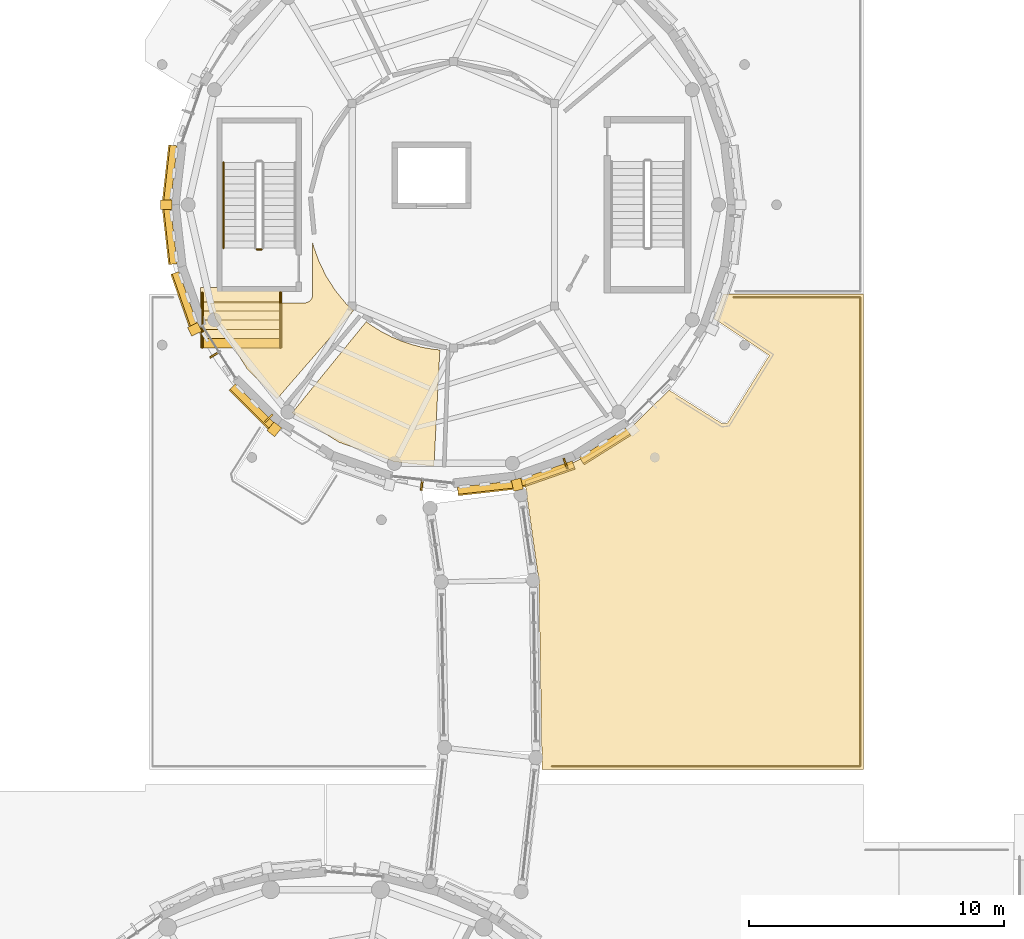
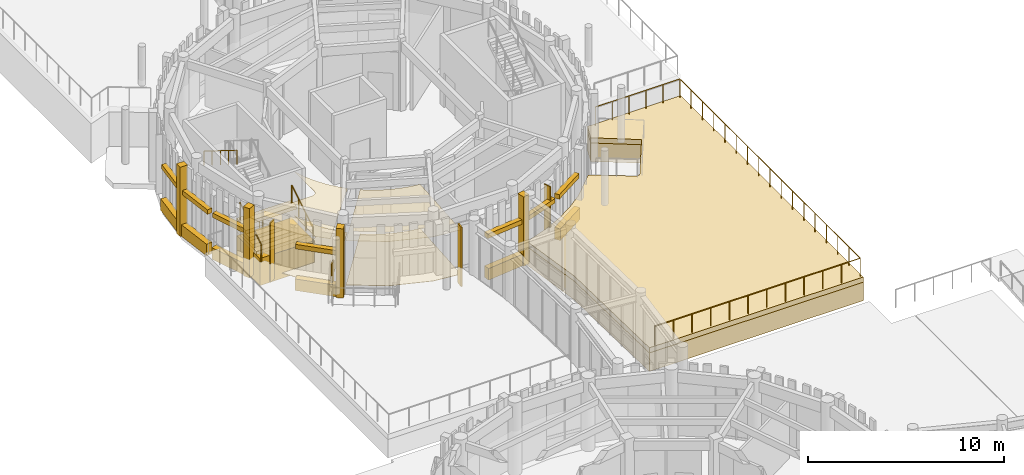
# One storey, part 71 of 94: 30 coverings, 5 railings, 4 shading devices.
"""IFC4 building model written with IfcOpenShell, lengths in metres."""

from ifc_helpers import new_model, si_unit, direction, frame, origin, origin_2d, place, context, subcontext, project, spatial, polyline, rectangle, circle, outline, extrude, material, layer, layer_set, type_object, element, save


model = new_model("IFC4")

# Units and contexts
model_context = context("Model", 3, precision=1e-05, world=origin(), true_north=direction((0.0, 1.0)))
body_context = subcontext(model_context, "Body", "Model", "MODEL_VIEW")
ifc_project = project(units=[si_unit("LENGTHUNIT", "METRE"), si_unit("AREAUNIT", "SQUARE_METRE"), si_unit("VOLUMEUNIT", "CUBIC_METRE"), si_unit("PLANEANGLEUNIT", "RADIAN"), si_unit("MASSUNIT", "GRAM", prefix="KILO")], contexts=[model_context])

# Site, building, storey
site_placement = place(None, origin())
site = spatial("IfcSite", under=ifc_project, at=site_placement, CompositionType="ELEMENT")
building_placement = place(site_placement, origin())
building = spatial("IfcBuilding", under=site, at=building_placement, Name="Aldenvaro Health Centre", CompositionType="ELEMENT")
storey_placement = place(building_placement, origin())
storey = spatial("IfcBuildingStorey", under=building, at=storey_placement, Name="L00", CompositionType="ELEMENT", Elevation=0.0)

# Coverings
ifc_material_1 = material(Name="Antimicrobial Mineral Fibre Ceiling")
ifc_layer_1 = layer(ifc_material_1, 0.01806640625, Name="Antimicrobial Mineral Fibre Ceiling")
ifc_layer_set_1 = layer_set([ifc_layer_1], Name="Antimicrobial Mineral Fibre Ceiling")
covering_type_1 = type_object("IfcCoveringType", Name="COV-CLG-ACT18", PredefinedType="CEILING", material=ifc_layer_set_1)
covering_1_placement = place(storey_placement, frame((0.0, 0.0, 2.75)))
element("IfcCovering", 1, at=covering_1_placement, inside=storey, type_object=covering_type_1, Name="D3-L00-R03 Suspended Ceiling", PredefinedType="CEILING", context=body_context, shape_type="SweptSolid", body=[
    extrude(outline(polyline([(17.989990234375, 56.02587890625), (18.02099609375, 55.89404296875), (18.029052734375, 55.867919921875), (18.239013671875, 55.281982421875), (18.25, 55.257080078125), (18.52490234375, 54.697998046875), (18.5390625, 54.674072265625), (18.8759765625, 54.15087890625), (18.89208984375, 54.12890625), (19.285888671875, 53.64697265625), (19.304931640625, 53.626953125), (19.589111328125, 53.35107421875), (16.59912109375, 49.89990234375), (15.43310546875, 51.06689453125), (14.2041015625, 53.02294921875), (13.98095703125, 53.659912109375), (17.669921875, 53.659912109375), (17.681884765625, 53.659912109375), (17.68994140625, 53.660888671875), (17.712890625, 53.6630859375), (17.720947265625, 53.6640625), (17.743896484375, 53.6689453125), (17.751953125, 53.6708984375), (17.77392578125, 53.677001953125), (17.781005859375, 53.679931640625), (17.802978515625, 53.68896484375), (17.81005859375, 53.69189453125), (17.8310546875, 53.7041015625), (17.837890625, 53.7080078125), (17.85693359375, 53.720947265625), (17.864013671875, 53.72509765625), (17.882080078125, 53.739990234375), (17.887939453125, 53.74609375), (17.904052734375, 53.761962890625), (17.909912109375, 53.76806640625), (17.925048828125, 53.785888671875), (17.928955078125, 53.79296875), (17.94189453125, 53.81201171875), (17.946044921875, 53.819091796875), (17.9580078125, 53.840087890625), (17.9609375, 53.846923828125), (17.969970703125, 53.868896484375), (17.972900390625, 53.8759765625), (17.97900390625, 53.89794921875), (17.98095703125, 53.906005859375), (17.986083984375, 53.928955078125), (17.987060546875, 53.93701171875), (17.989013671875, 53.9599609375), (17.989990234375, 53.968017578125), (17.989990234375, 53.97998046875), (17.989990234375, 56.02587890625)])), origin(), (0.0, 0.0, 1.0), 0.01806640625),
])
covering_2_placement = place(storey_placement, frame((0.0, 0.0, 2.75)))
element("IfcCovering", 2, at=covering_2_placement, inside=storey, type_object=covering_type_1, Name="D3-L00-R04 Suspended Ceiling", PredefinedType="CEILING", context=body_context, shape_type="SweptSolid", body=[
    extrude(outline(polyline([(17.18994140625, 49.35498046875), (20.091064453125, 52.925048828125), (20.251953125, 52.803955078125), (20.26806640625, 52.79296875), (20.633056640625, 52.56201171875), (20.64892578125, 52.552978515625), (21.031005859375, 52.35205078125), (21.048095703125, 52.343017578125), (21.445068359375, 52.173095703125), (21.462890625, 52.166015625), (21.8720703125, 52.027099609375), (21.889892578125, 52.02197265625), (22.30810546875, 51.916015625), (22.326904296875, 51.912109375), (22.7529296875, 51.839111328125), (22.77197265625, 51.8369140625), (22.971923828125, 51.819091796875), (22.740966796875, 47.26806640625), (21.2041015625, 47.44091796875), (19.02294921875, 48.2041015625), (17.18994140625, 49.35498046875)])), origin(), (0.0, 0.0, 1.0), 0.01806640625),
])
ifc_material_2 = material(Name="Honed Sonoran Buff Limestone", Category="masonry")
ifc_layer_2 = layer(ifc_material_2, 0.280029296875, Name="Honed Sonoran Buff Limestone", Category="masonry")
ifc_layer_set_2 = layer_set([ifc_layer_2], Name="Honed Sonoran Buff Limestone")
covering_type_2 = type_object("IfcCoveringType", Name="COV-CRN-STN", PredefinedType="CLADDING", material=ifc_layer_set_2)
covering_3_placement = place(storey_placement, frame((29.443115234375, 48.041015625, 0.0), z_axis=(0.0, 0.0, 1.0), x_axis=(-0.846684003256, -0.532096042675, 0.0)))
element("IfcCovering", 3, at=covering_3_placement, inside=storey, type_object=covering_type_2, Name="D3 L00 Rusticated Limestone Plinth 5.1", PredefinedType="CLADDING", context=body_context, shape_type="SweptSolid", body=[
    extrude(rectangle(XDim=2.160888671875, YDim=0.340087890625, at=origin_2d()), origin(), (0.0, 0.0, 1.0), 0.719970703125),
])
covering_4_placement = place(storey_placement, frame((29.427001953125, 48.06591796875, 2.5498046875), z_axis=(0.0, 0.0, 1.0), x_axis=(-0.846684003256, -0.532096042675, 0.0)))
element("IfcCovering", 4, at=covering_4_placement, inside=storey, type_object=covering_type_2, Name="D3 L00 Rusticated Limestone Plinth 5.2", PredefinedType="CLADDING", context=body_context, shape_type="SweptSolid", body=[
    extrude(rectangle(XDim=2.160888671875, YDim=0.280029296875, at=origin_2d()), origin(), (0.0, 0.0, 1.0), 0.280029296875),
])
covering_5_placement = place(storey_placement, frame((27.18896484375, 46.955078125, 0.0), z_axis=(0.0, 0.0, 1.0), x_axis=(-0.943909441385, -0.330204431323, 0.0)))
element("IfcCovering", 5, at=covering_5_placement, inside=storey, type_object=covering_type_2, Name="D3 L00 Rusticated Limestone Plinth 6.1", PredefinedType="CLADDING", context=body_context, shape_type="SweptSolid", body=[
    extrude(rectangle(XDim=2.160888671875, YDim=0.340087890625, at=origin_2d()), origin(), (0.0, 0.0, 1.0), 0.719970703125),
])
covering_6_placement = place(storey_placement, frame((27.178955078125, 46.98291015625, 2.5498046875), z_axis=(0.0, 0.0, 1.0), x_axis=(-0.943909441385, -0.330204431323, 0.0)))
element("IfcCovering", 6, at=covering_6_placement, inside=storey, type_object=covering_type_2, Name="D3 L00 Rusticated Limestone Plinth 6.2", PredefinedType="CLADDING", context=body_context, shape_type="SweptSolid", body=[
    extrude(rectangle(XDim=2.160888671875, YDim=0.280029296875, at=origin_2d()), origin(), (0.0, 0.0, 1.0), 0.280029296875),
])
covering_7_placement = place(storey_placement, frame((24.7509765625, 46.39892578125, 0.0), z_axis=(0.0, 0.0, 1.0), x_axis=(-0.993722777443, -0.111870646695, 0.0)))
element("IfcCovering", 7, at=covering_7_placement, inside=storey, type_object=covering_type_2, Name="D3 L00 Rusticated Limestone Plinth 7.1", PredefinedType="CLADDING", context=body_context, shape_type="SweptSolid", body=[
    extrude(rectangle(XDim=2.159912109375, YDim=0.340087890625, at=origin_2d()), origin(), (0.0, 0.0, 1.0), 0.719970703125),
])
covering_8_placement = place(storey_placement, frame((24.7470703125, 46.427978515625, 2.5498046875), z_axis=(0.0, 0.0, 1.0), x_axis=(-0.993722777443, -0.111870646695, 0.0)))
element("IfcCovering", 8, at=covering_8_placement, inside=storey, type_object=covering_type_2, Name="D3 L00 Rusticated Limestone Plinth 7.2", PredefinedType="CLADDING", context=body_context, shape_type="SweptSolid", body=[
    extrude(rectangle(XDim=2.159912109375, YDim=0.280029296875, at=origin_2d()), origin(), (0.0, 0.0, 1.0), 0.280029296875),
])
covering_9_placement = place(storey_placement, frame((26.0009765625, 46.5419921875, -0.00048828125), z_axis=(0.0, 0.0, 1.0), x_axis=(0.222473549538, -0.974938726155, 0.0)))
element("IfcCovering", 9, at=covering_9_placement, inside=storey, type_object=covering_type_2, Name="D3 L00 Engaged Classical Limestone Pilaster 04", PredefinedType="CLADDING", context=body_context, shape_type="SweptSolid", body=[
    extrude(rectangle(XDim=0.43994140625, YDim=0.3798828125, at=origin_2d()), origin(), (0.0, 0.0, 1.0), 4.304931640625),
])
covering_10_placement = place(storey_placement, frame((15.60107421875, 49.60107421875, 0.0), z_axis=(0.0, 0.0, 1.0), x_axis=(-0.707106781187, 0.707106781187, 0.0)))
element("IfcCovering", 10, at=covering_10_placement, inside=storey, type_object=covering_type_2, Name="D3 L00 Rusticated Limestone Plinth 11.1", PredefinedType="CLADDING", context=body_context, shape_type="SweptSolid", body=[
    extrude(rectangle(XDim=2.160888671875, YDim=0.340087890625, at=origin_2d()), origin(), (0.0, 0.0, 1.0), 0.719970703125),
])
covering_11_placement = place(storey_placement, frame((15.6220703125, 49.6220703125, 2.5498046875), z_axis=(0.0, 0.0, 1.0), x_axis=(-0.707106781187, 0.707106781187, 0.0)))
element("IfcCovering", 11, at=covering_11_placement, inside=storey, type_object=covering_type_2, Name="D3 L00 Rusticated Limestone Plinth 11.2", PredefinedType="CLADDING", context=body_context, shape_type="SweptSolid", body=[
    extrude(rectangle(XDim=2.160888671875, YDim=0.280029296875, at=origin_2d()), origin(), (0.0, 0.0, 1.0), 0.280029296875),
])
covering_12_placement = place(storey_placement, frame((16.491943359375, 48.7119140625, -0.00048828125), z_axis=(0.0, 0.0, 1.0), x_axis=(-0.623485976143, -0.781834533359, 0.0)))
element("IfcCovering", 12, at=covering_12_placement, inside=storey, type_object=covering_type_2, Name="D3 L00 Engaged Classical Limestone Pilaster 06", PredefinedType="CLADDING", context=body_context, shape_type="SweptSolid", body=[
    extrude(rectangle(XDim=0.43994140625, YDim=0.3798828125, at=origin_2d()), origin(), (0.0, 0.0, 1.0), 4.304931640625),
])
covering_13_placement = place(storey_placement, frame((12.955078125, 53.81103515625, 0.0), z_axis=(0.0, 0.0, 1.0), x_axis=(-0.330204431323, 0.943909441385, 0.0)))
element("IfcCovering", 13, at=covering_13_placement, inside=storey, type_object=covering_type_2, Name="D3 L00 Rusticated Limestone Plinth 13.1", PredefinedType="CLADDING", context=body_context, shape_type="SweptSolid", body=[
    extrude(rectangle(XDim=2.160888671875, YDim=0.340087890625, at=origin_2d()), origin(), (0.0, 0.0, 1.0), 0.719970703125),
])
covering_14_placement = place(storey_placement, frame((12.98291015625, 53.821044921875, 2.5498046875), z_axis=(0.0, 0.0, 1.0), x_axis=(-0.330204431323, 0.943909441385, 0.0)))
element("IfcCovering", 14, at=covering_14_placement, inside=storey, type_object=covering_type_2, Name="D3 L00 Rusticated Limestone Plinth 13.2", PredefinedType="CLADDING", context=body_context, shape_type="SweptSolid", body=[
    extrude(rectangle(XDim=2.160888671875, YDim=0.280029296875, at=origin_2d()), origin(), (0.0, 0.0, 1.0), 0.280029296875),
])
covering_15_placement = place(storey_placement, frame((13.373046875, 52.6240234375, -0.00048828125), z_axis=(0.0, 0.0, 1.0), x_axis=(-0.900988388345, -0.433843202168, 0.0)))
element("IfcCovering", 15, at=covering_15_placement, inside=storey, type_object=covering_type_2, Name="D3 L00 Engaged Classical Limestone Pilaster 07", PredefinedType="CLADDING", context=body_context, shape_type="SweptSolid", body=[
    extrude(rectangle(XDim=0.43994140625, YDim=0.3798828125, at=origin_2d()), origin(), (0.0, 0.0, 1.0), 4.304931640625),
])
covering_16_placement = place(storey_placement, frame((12.39892578125, 56.2490234375, 0.0), z_axis=(0.0, 0.0, 1.0), x_axis=(-0.111870646695, 0.993722777443, 0.0)))
element("IfcCovering", 16, at=covering_16_placement, inside=storey, type_object=covering_type_2, Name="D3 L00 Rusticated Limestone Plinth 14.1", PredefinedType="CLADDING", context=body_context, shape_type="SweptSolid", body=[
    extrude(rectangle(XDim=2.159912109375, YDim=0.340087890625, at=origin_2d()), origin(), (0.0, 0.0, 1.0), 0.719970703125),
])
covering_17_placement = place(storey_placement, frame((12.427978515625, 56.2529296875, 2.5498046875), z_axis=(0.0, 0.0, 1.0), x_axis=(-0.111870646695, 0.993722777443, 0.0)))
element("IfcCovering", 17, at=covering_17_placement, inside=storey, type_object=covering_type_2, Name="D3 L00 Rusticated Limestone Plinth 14.2", PredefinedType="CLADDING", context=body_context, shape_type="SweptSolid", body=[
    extrude(rectangle(XDim=2.159912109375, YDim=0.280029296875, at=origin_2d()), origin(), (0.0, 0.0, 1.0), 0.280029296875),
])
covering_18_placement = place(storey_placement, frame((12.39892578125, 58.7509765625, 0.0), z_axis=(0.0, 0.0, 1.0), x_axis=(0.111870646695, 0.993722777443, 0.0)))
element("IfcCovering", 18, at=covering_18_placement, inside=storey, type_object=covering_type_2, Name="D3 L00 Rusticated Limestone Plinth 15.1", PredefinedType="CLADDING", context=body_context, shape_type="SweptSolid", body=[
    extrude(rectangle(XDim=2.159912109375, YDim=0.340087890625, at=origin_2d()), origin(), (0.0, 0.0, 1.0), 0.719970703125),
])
covering_19_placement = place(storey_placement, frame((12.427978515625, 58.7470703125, 2.5498046875), z_axis=(0.0, 0.0, 1.0), x_axis=(0.111870646695, 0.993722777443, 0.0)))
element("IfcCovering", 19, at=covering_19_placement, inside=storey, type_object=covering_type_2, Name="D3 L00 Rusticated Limestone Plinth 15.2", PredefinedType="CLADDING", context=body_context, shape_type="SweptSolid", body=[
    extrude(rectangle(XDim=2.159912109375, YDim=0.280029296875, at=origin_2d()), origin(), (0.0, 0.0, 1.0), 0.280029296875),
])
covering_20_placement = place(storey_placement, frame((12.260009765625, 57.5, -0.00048828125), z_axis=(0.0, 0.0, 1.0), x_axis=(-1.0, 0.0, 0.0)))
element("IfcCovering", 20, at=covering_20_placement, inside=storey, type_object=covering_type_2, Name="D3 L00 Engaged Classical Limestone Pilaster 08", PredefinedType="CLADDING", context=body_context, shape_type="SweptSolid", body=[
    extrude(rectangle(XDim=0.43994140625, YDim=0.3798828125, at=origin_2d()), origin(), (0.0, 0.0, 1.0), 4.304931640625),
])
covering_21_placement = place(storey_placement, frame((0.0, 0.0, -0.320068359375)))
element("IfcCovering", 21, at=covering_21_placement, inside=storey, type_object=covering_type_2, Name="Lower Foothill Wing and Amphitheatre Court Terrace Rusticated Foothill Stone Plinth 5", PredefinedType="CLADDING", context=body_context, shape_type="SweptSolid", body=[
    extrude(outline(polyline([(26.294921875, 46.68310546875), (27.762939453125, 47.2080078125), (28.7509765625, 47.675048828125), (29.68896484375, 48.237060546875), (30.56689453125, 48.888916015625), (31.94189453125, 50.24609375), (34.037109375, 48.929931640625), (34.22607421875, 48.9541015625), (35.863037109375, 51.60107421875), (33.698974609375, 53.0400390625), (34.06494140625, 54.0), (39.550048828125, 54.0), (39.550048828125, 35.39990234375), (26.97509765625, 35.39990234375), (26.845947265625, 42.805908203125), (26.294921875, 46.68310546875)])), origin(), (0.0, 0.0, 1.0), 1.150146484375),
])
covering_22_placement = place(storey_placement, frame((0.0, 0.0, -0.320068359375)))
element("IfcCovering", 22, at=covering_22_placement, inside=storey, type_object=covering_type_2, Name="Classical Terrace Grand Stair GST-W1 Solid Stone Carriage", PredefinedType="CLADDING", context=body_context, shape_type="SweptSolid", body=[
    extrude(outline(polyline([(13.60009765625, 51.89990234375), (16.800048828125, 51.89990234375), (16.800048828125, 54.260009765625), (13.60009765625, 54.260009765625), (13.60009765625, 51.89990234375)])), origin(), (0.0, 0.0, 1.0), 1.68701171875),
])
ifc_material_3 = material(Name="Polished Epoxy Terrazzo Flooring")
ifc_layer_3 = layer(ifc_material_3, 0.02197265625, Name="Polished Epoxy Terrazzo Flooring")
ifc_layer_set_3 = layer_set([ifc_layer_3], Name="Polished Epoxy Terrazzo Flooring")
covering_type_3 = type_object("IfcCoveringType", Name="COV-FLR-TER22", PredefinedType="FLOORING", material=ifc_layer_set_3)
covering_23_placement = place(storey_placement, origin())
element("IfcCovering", 23, at=covering_23_placement, inside=storey, type_object=covering_type_3, Name="D3-L00-R03 Flooring", PredefinedType="FLOORING", context=body_context, shape_type="SweptSolid", body=[
    extrude(outline(polyline([(17.989990234375, 56.02587890625), (18.02099609375, 55.89404296875), (18.029052734375, 55.867919921875), (18.239013671875, 55.281982421875), (18.25, 55.257080078125), (18.52490234375, 54.697998046875), (18.5390625, 54.674072265625), (18.8759765625, 54.15087890625), (18.89208984375, 54.12890625), (19.285888671875, 53.64697265625), (19.304931640625, 53.626953125), (19.589111328125, 53.35107421875), (16.59912109375, 49.89990234375), (15.43310546875, 51.06689453125), (14.2041015625, 53.02294921875), (13.98095703125, 53.659912109375), (17.669921875, 53.659912109375), (17.681884765625, 53.659912109375), (17.68994140625, 53.660888671875), (17.712890625, 53.6630859375), (17.720947265625, 53.6640625), (17.743896484375, 53.6689453125), (17.751953125, 53.6708984375), (17.77392578125, 53.677001953125), (17.781005859375, 53.679931640625), (17.802978515625, 53.68896484375), (17.81005859375, 53.69189453125), (17.8310546875, 53.7041015625), (17.837890625, 53.7080078125), (17.85693359375, 53.720947265625), (17.864013671875, 53.72509765625), (17.882080078125, 53.739990234375), (17.887939453125, 53.74609375), (17.904052734375, 53.761962890625), (17.909912109375, 53.76806640625), (17.925048828125, 53.785888671875), (17.928955078125, 53.79296875), (17.94189453125, 53.81201171875), (17.946044921875, 53.819091796875), (17.9580078125, 53.840087890625), (17.9609375, 53.846923828125), (17.969970703125, 53.868896484375), (17.972900390625, 53.8759765625), (17.97900390625, 53.89794921875), (17.98095703125, 53.906005859375), (17.986083984375, 53.928955078125), (17.987060546875, 53.93701171875), (17.989013671875, 53.9599609375), (17.989990234375, 53.968017578125), (17.989990234375, 53.97998046875), (17.989990234375, 56.02587890625)])), origin(), (0.0, 0.0, 1.0), 0.02197265625),
])
covering_24_placement = place(storey_placement, origin())
element("IfcCovering", 24, at=covering_24_placement, inside=storey, type_object=covering_type_3, Name="D3-L00-R04 Flooring", PredefinedType="FLOORING", context=body_context, shape_type="SweptSolid", body=[
    extrude(outline(polyline([(17.18994140625, 49.35498046875), (20.091064453125, 52.925048828125), (20.251953125, 52.803955078125), (20.26806640625, 52.79296875), (20.633056640625, 52.56201171875), (20.64892578125, 52.552978515625), (21.031005859375, 52.35205078125), (21.048095703125, 52.343017578125), (21.445068359375, 52.173095703125), (21.462890625, 52.166015625), (21.8720703125, 52.027099609375), (21.889892578125, 52.02197265625), (22.30810546875, 51.916015625), (22.326904296875, 51.912109375), (22.7529296875, 51.839111328125), (22.77197265625, 51.8369140625), (22.971923828125, 51.819091796875), (22.740966796875, 47.26806640625), (21.2041015625, 47.44091796875), (19.02294921875, 48.2041015625), (17.18994140625, 49.35498046875)])), origin(), (0.0, 0.0, 1.0), 0.02197265625),
])
ifc_material_4 = material(Name="Honed Sonoran Buff Travertine", Category="masonry")
ifc_layer_4 = layer(ifc_material_4, 0.320068359375, Name="Honed Sonoran Buff Travertine", Category="masonry")
ifc_layer_set_4 = layer_set([ifc_layer_4], Name="Honed Sonoran Buff Travertine")
covering_type_4 = type_object("IfcCoveringType", Name="COV-POD-320", PredefinedType="FLOORING", material=ifc_layer_set_4)
covering_25_placement = place(storey_placement, frame((0.0, 0.0, 0.830078125)))
element("IfcCovering", 25, at=covering_25_placement, inside=storey, type_object=covering_type_4, Name="Lower Foothill Wing and Amphitheatre Court Terrace Coping Deck 5", PredefinedType="FLOORING", context=body_context, shape_type="SweptSolid", body=[
    extrude(outline(polyline([(26.294921875, 46.68310546875), (27.762939453125, 47.2080078125), (28.7509765625, 47.675048828125), (29.68896484375, 48.237060546875), (30.56689453125, 48.888916015625), (31.94189453125, 50.24609375), (34.037109375, 48.929931640625), (34.22607421875, 48.9541015625), (35.863037109375, 51.60107421875), (33.698974609375, 53.0400390625), (34.06494140625, 54.0), (39.550048828125, 54.0), (39.550048828125, 35.39990234375), (26.97509765625, 35.39990234375), (26.845947265625, 42.805908203125), (26.294921875, 46.68310546875)])), origin(), (0.0, 0.0, 1.0), 0.31982421875),
])
covering_26_placement = place(storey_placement, frame((0.0, 0.0, 1.366943359375)))
element("IfcCovering", 26, at=covering_26_placement, inside=storey, type_object=covering_type_4, Name="Classical Terrace Grand Stair GST-W1 Stone Step 2", PredefinedType="FLOORING", context=body_context, shape_type="SweptSolid", body=[
    extrude(outline(polyline([(13.60009765625, 52.260009765625), (16.800048828125, 52.260009765625), (16.800048828125, 54.260009765625), (13.60009765625, 54.260009765625), (13.60009765625, 52.260009765625)])), origin(), (0.0, 0.0, 1.0), 0.216064453125),
])
covering_27_placement = place(storey_placement, frame((0.0, 0.0, 1.5830078125)))
element("IfcCovering", 27, at=covering_27_placement, inside=storey, type_object=covering_type_4, Name="Classical Terrace Grand Stair GST-W1 Stone Step 3", PredefinedType="FLOORING", context=body_context, shape_type="SweptSolid", body=[
    extrude(outline(polyline([(13.60009765625, 52.6201171875), (16.800048828125, 52.6201171875), (16.800048828125, 54.260009765625), (13.60009765625, 54.260009765625), (13.60009765625, 52.6201171875)])), origin(), (0.0, 0.0, 1.0), 0.217041015625),
])
covering_28_placement = place(storey_placement, frame((0.0, 0.0, 1.800048828125)))
element("IfcCovering", 28, at=covering_28_placement, inside=storey, type_object=covering_type_4, Name="Classical Terrace Grand Stair GST-W1 Stone Step 4", PredefinedType="FLOORING", context=body_context, shape_type="SweptSolid", body=[
    extrude(outline(polyline([(13.60009765625, 52.97998046875), (16.800048828125, 52.97998046875), (16.800048828125, 54.260009765625), (13.60009765625, 54.260009765625), (13.60009765625, 52.97998046875)])), origin(), (0.0, 0.0, 1.0), 0.217041015625),
])
covering_29_placement = place(storey_placement, frame((0.0, 0.0, 2.01708984375)))
element("IfcCovering", 29, at=covering_29_placement, inside=storey, type_object=covering_type_4, Name="Classical Terrace Grand Stair GST-W1 Stone Step 5", PredefinedType="FLOORING", context=body_context, shape_type="SweptSolid", body=[
    extrude(outline(polyline([(13.60009765625, 53.340087890625), (16.800048828125, 53.340087890625), (16.800048828125, 54.260009765625), (13.60009765625, 54.260009765625), (13.60009765625, 53.340087890625)])), origin(), (0.0, 0.0, 1.0), 0.2158203125),
])
covering_30_placement = place(storey_placement, frame((0.0, 0.0, 2.23291015625)))
element("IfcCovering", 30, at=covering_30_placement, inside=storey, type_object=covering_type_4, Name="Classical Terrace Grand Stair GST-W1 Stone Step 6", PredefinedType="FLOORING", context=body_context, shape_type="SweptSolid", body=[
    extrude(outline(polyline([(13.60009765625, 53.699951171875), (16.800048828125, 53.699951171875), (16.800048828125, 54.260009765625), (13.60009765625, 54.260009765625), (13.60009765625, 53.699951171875)])), origin(), (0.0, 0.0, 1.0), 0.217041015625),
])

# Railings
ifc_material_5 = material(Name="Painted Architectural Steel", Category="steel")
railing_type_1 = type_object("IfcRailingType", Name="RL-BAL-110", PredefinedType="GUARDRAIL", material=ifc_material_5)
for number, where, name in (
    (31, (13.679931640625, 51.89990234375, 1.14990234375), "Classical Terrace Grand Stair GST-W1 Balustrade W"),
    (32, (16.719970703125, 51.89990234375, 1.14990234375), "Classical Terrace Grand Stair GST-W1 Balustrade E"),
):
    element("IfcRailing", number, at=place(storey_placement, frame(where)), inside=storey, type_object=railing_type_1, Name=name, PredefinedType="GUARDRAIL", context=body_context, shape_type="SweptSolid", body=[
        extrude(circle(Radius=0.02392578125, at=origin_2d()), frame((0.0, 0.0, 1.076171875), z_axis=(0.0, 0.856800061236, 0.515648771031), x_axis=(-1.0, 0.0, 0.0)), (0.0, 0.0, 1.0), 2.521240234375),
        extrude(circle(Radius=0.02099609375, at=origin_2d()), origin(), (0.0, 0.0, 1.0), 1.052001953125),
        extrude(circle(Radius=0.02099609375, at=origin_2d()), frame((0.0, 0.719970703125, 0.433349609375)), (0.0, 0.0, 1.0), 1.052001953125),
        extrude(circle(Radius=0.02099609375, at=origin_2d()), frame((0.0, 1.440185546875, 0.86669921875)), (0.0, 0.0, 1.0), 1.052001953125),
        extrude(circle(Radius=0.02099609375, at=origin_2d()), frame((0.0, 2.16015625, 1.300048828125)), (0.0, 0.0, 1.0), 1.052001953125),
    ])
railing_type_2 = type_object("IfcRailingType", Name="RL-BAL-115", PredefinedType="GUARDRAIL", material=ifc_material_5)
railing_1_placement = place(storey_placement, frame((34.45703125, 53.8798828125, 1.14990234375)))
element("IfcRailing", 33, at=railing_1_placement, inside=storey, type_object=railing_type_2, Name="Lower Foothill Wing and Amphitheatre Court Terrace Classical Balustrade 11", PredefinedType="GUARDRAIL", context=body_context, shape_type="SweptSolid", body=[
    extrude(circle(Radius=0.02392578125, at=origin_2d()), frame((0.0, 0.0, 1.1357421875), z_axis=(1.0, 0.0, 0.0), x_axis=(0.0, 1.0, 0.0)), (0.0, 0.0, 1.0), 4.972900390625),
    extrude(circle(Radius=0.02392578125, at=origin_2d()), frame((4.972900390625, 0.0, 1.1357421875), z_axis=(0.0, -1.0, 0.0), x_axis=(1.0, 0.0, 0.0)), (0.0, 0.0, 1.0), 18.35986328125),
    extrude(circle(Radius=0.02392578125, at=origin_2d()), frame((4.972900390625, -18.35986328125, 1.1357421875), z_axis=(-1.0, 0.0, 0.0), x_axis=(0.0, -1.0, 0.0)), (0.0, 0.0, 1.0), 12.080810546875),
    extrude(circle(Radius=0.02099609375, at=origin_2d()), origin(), (0.0, 0.0, 1.0), 1.11181640625),
    extrude(circle(Radius=0.02099609375, at=origin_2d()), frame((0.99462890625, 0.0, 0.0)), (0.0, 0.0, 1.0), 1.11181640625),
    extrude(circle(Radius=0.02099609375, at=origin_2d()), frame((1.9892578125, 0.0, 0.0)), (0.0, 0.0, 1.0), 1.11181640625),
    extrude(circle(Radius=0.02099609375, at=origin_2d()), frame((2.983642578125, 0.0, 0.0)), (0.0, 0.0, 1.0), 1.11181640625),
    extrude(circle(Radius=0.02099609375, at=origin_2d()), frame((3.978271484375, 0.0, 0.0)), (0.0, 0.0, 1.0), 1.11181640625),
    extrude(circle(Radius=0.02099609375, at=origin_2d()), frame((4.972900390625, 0.0, 0.0)), (0.0, 0.0, 1.0), 1.11181640625),
    extrude(circle(Radius=0.02099609375, at=origin_2d()), frame((4.972900390625, -1.1474609375, 0.0)), (0.0, 0.0, 1.0), 1.11181640625),
    extrude(circle(Radius=0.02099609375, at=origin_2d()), frame((4.972900390625, -2.294921875, 0.0)), (0.0, 0.0, 1.0), 1.11181640625),
    extrude(circle(Radius=0.02099609375, at=origin_2d()), frame((4.972900390625, -3.4423828125, 0.0)), (0.0, 0.0, 1.0), 1.11181640625),
    extrude(circle(Radius=0.02099609375, at=origin_2d()), frame((4.972900390625, -4.58984375, 0.0)), (0.0, 0.0, 1.0), 1.11181640625),
    extrude(circle(Radius=0.02099609375, at=origin_2d()), frame((4.972900390625, -5.737548828125, 0.0)), (0.0, 0.0, 1.0), 1.11181640625),
    extrude(circle(Radius=0.02099609375, at=origin_2d()), frame((4.972900390625, -6.885009765625, 0.0)), (0.0, 0.0, 1.0), 1.11181640625),
    extrude(circle(Radius=0.02099609375, at=origin_2d()), frame((4.972900390625, -8.032470703125, 0.0)), (0.0, 0.0, 1.0), 1.11181640625),
    extrude(circle(Radius=0.02099609375, at=origin_2d()), frame((4.972900390625, -9.179931640625, 0.0)), (0.0, 0.0, 1.0), 1.11181640625),
    extrude(circle(Radius=0.02099609375, at=origin_2d()), frame((4.972900390625, -10.327392578125, 0.0)), (0.0, 0.0, 1.0), 1.11181640625),
    extrude(circle(Radius=0.02099609375, at=origin_2d()), frame((4.972900390625, -11.474853515625, 0.0)), (0.0, 0.0, 1.0), 1.11181640625),
    extrude(circle(Radius=0.02099609375, at=origin_2d()), frame((4.972900390625, -12.622314453125, 0.0)), (0.0, 0.0, 1.0), 1.11181640625),
    extrude(circle(Radius=0.02099609375, at=origin_2d()), frame((4.972900390625, -13.77001953125, 0.0)), (0.0, 0.0, 1.0), 1.11181640625),
    extrude(circle(Radius=0.02099609375, at=origin_2d()), frame((4.972900390625, -14.91748046875, 0.0)), (0.0, 0.0, 1.0), 1.11181640625),
    extrude(circle(Radius=0.02099609375, at=origin_2d()), frame((4.972900390625, -16.06494140625, 0.0)), (0.0, 0.0, 1.0), 1.11181640625),
    extrude(circle(Radius=0.02099609375, at=origin_2d()), frame((4.972900390625, -17.21240234375, 0.0)), (0.0, 0.0, 1.0), 1.11181640625),
    extrude(circle(Radius=0.02099609375, at=origin_2d()), frame((4.972900390625, -18.35986328125, 0.0)), (0.0, 0.0, 1.0), 1.11181640625),
    extrude(circle(Radius=0.02099609375, at=origin_2d()), frame((3.874755859375, -18.35986328125, 0.0)), (0.0, 0.0, 1.0), 1.11181640625),
    extrude(circle(Radius=0.02099609375, at=origin_2d()), frame((2.7763671875, -18.35986328125, 0.0)), (0.0, 0.0, 1.0), 1.11181640625),
    extrude(circle(Radius=0.02099609375, at=origin_2d()), frame((1.67822265625, -18.35986328125, 0.0)), (0.0, 0.0, 1.0), 1.11181640625),
    extrude(circle(Radius=0.02099609375, at=origin_2d()), frame((0.579833984375, -18.35986328125, 0.0)), (0.0, 0.0, 1.0), 1.11181640625),
    extrude(circle(Radius=0.02099609375, at=origin_2d()), frame((-0.518310546875, -18.35986328125, 0.0)), (0.0, 0.0, 1.0), 1.11181640625),
    extrude(circle(Radius=0.02099609375, at=origin_2d()), frame((-1.61669921875, -18.35986328125, 0.0)), (0.0, 0.0, 1.0), 1.11181640625),
    extrude(circle(Radius=0.02099609375, at=origin_2d()), frame((-2.71484375, -18.35986328125, 0.0)), (0.0, 0.0, 1.0), 1.11181640625),
    extrude(circle(Radius=0.02099609375, at=origin_2d()), frame((-3.813232421875, -18.35986328125, 0.0)), (0.0, 0.0, 1.0), 1.11181640625),
    extrude(circle(Radius=0.02099609375, at=origin_2d()), frame((-4.911376953125, -18.35986328125, 0.0)), (0.0, 0.0, 1.0), 1.11181640625),
    extrude(circle(Radius=0.02099609375, at=origin_2d()), frame((-6.009765625, -18.35986328125, 0.0)), (0.0, 0.0, 1.0), 1.11181640625),
    extrude(circle(Radius=0.02099609375, at=origin_2d()), frame((-7.10791015625, -18.35986328125, 0.0)), (0.0, 0.0, 1.0), 1.11181640625),
])
railing_type_3 = type_object("IfcRailingType", Name="RL-BAL-INT", PredefinedType="BALUSTRADE", material=ifc_material_5)
railing_2_placement = place(storey_placement, frame((16.0, 55.75, 0.0)))
element("IfcRailing", 34, at=railing_2_placement, inside=storey, type_object=railing_type_3, Name="L00 ST-06 stair guard 4", PredefinedType="BALUSTRADE", context=body_context, shape_type="SweptSolid", body=[
    extrude(circle(Radius=0.02392578125, at=origin_2d()), frame((0.0, 0.0, 1.076171875), z_axis=(-1.0, 0.0, 0.0), x_axis=(0.0, -1.0, 0.0)), (0.0, 0.0, 1.0), 0.199951171875),
    extrude(circle(Radius=0.02099609375, at=origin_2d()), origin(), (0.0, 0.0, 1.0), 1.052001953125),
    extrude(circle(Radius=0.02099609375, at=origin_2d()), frame((-0.199951171875, 0.0, 0.0)), (0.0, 0.0, 1.0), 1.052001953125),
])
railing_type_4 = type_object("IfcRailingType", Name="RL-HND-INT", PredefinedType="HANDRAIL", material=ifc_material_5)
railing_3_placement = place(storey_placement, frame((14.5, 59.159912109375, 2.449951171875)))
element("IfcRailing", 35, at=railing_3_placement, inside=storey, type_object=railing_type_4, Name="L00 ST-06 stair handrail 2", PredefinedType="HANDRAIL", context=body_context, shape_type="SweptSolid", body=[
    extrude(circle(Radius=0.02392578125, at=origin_2d()), frame((0.0, 0.0, 0.8759765625), z_axis=(0.0, -0.847977533471, 0.530032171408), x_axis=(1.0, 0.0, 0.0)), (0.0, 0.0, 1.0), 3.962158203125),
    extrude(circle(Radius=0.02099609375, at=origin_2d()), origin(), (0.0, 0.0, 1.0), 0.851806640625),
    extrude(circle(Radius=0.02099609375, at=origin_2d()), frame((0.0, -0.83984375, 0.52490234375)), (0.0, 0.0, 1.0), 0.851806640625),
    extrude(circle(Radius=0.02099609375, at=origin_2d()), frame((0.0, -1.679931640625, 1.050048828125)), (0.0, 0.0, 1.0), 0.851806640625),
    extrude(circle(Radius=0.02099609375, at=origin_2d()), frame((0.0, -2.52001953125, 1.5751953125)), (0.0, 0.0, 1.0), 0.851806640625),
    extrude(circle(Radius=0.02099609375, at=origin_2d()), frame((0.0, -3.35986328125, 2.10009765625)), (0.0, 0.0, 1.0), 0.851806640625),
])

# Shading devices
ifc_material_6 = material(Name="Douglas Fir Exterior Glulam GL28h", Category="wood")
shading_device_type_1 = type_object("IfcShadingDeviceType", Name="SHD-FIN-190", PredefinedType="USERDEFINED", material=ifc_material_6)
shading_device_1_placement = place(storey_placement, frame((16.282958984375, 49.15087890625, -0.02001953125), z_axis=(0.0, 0.0, 1.0), x_axis=(-0.707106781187, 0.707106781187, 0.0)))
element("IfcShadingDevice", 36, at=shading_device_1_placement, inside=storey, type_object=shading_device_type_1, Name="D3 L00 Douglas fir fin 11.1", ObjectType="FIN", PredefinedType="USERDEFINED", context=body_context, shape_type="SweptSolid", body=[
    extrude(rectangle(XDim=0.06494140625, YDim=0.419921875, at=origin_2d()), origin(), (0.0, 0.0, 1.0), 1.89990234375),
])
shading_device_type_2 = type_object("IfcShadingDeviceType", Name="SHD-FIN-380", PredefinedType="USERDEFINED", material=ifc_material_6)
shading_device_2_placement = place(storey_placement, frame((22.263916015625, 46.528076171875, -0.0205078125), z_axis=(0.0, 0.0, 1.0), x_axis=(-0.993722777443, 0.111870646695, 0.0)))
element("IfcShadingDevice", 37, at=shading_device_2_placement, inside=storey, type_object=shading_device_type_2, Name="D3 L00 vertical timber fin 8.0", ObjectType="FIN", PredefinedType="USERDEFINED", context=body_context, shape_type="SweptSolid", body=[
    extrude(rectangle(XDim=0.074951171875, YDim=0.419921875, at=origin_2d()), origin(), (0.0, 0.0, 1.0), 3.698974609375),
])
shading_device_type_3 = type_object("IfcShadingDeviceType", Name="SHD-FIN-420", PredefinedType="USERDEFINED", material=ifc_material_6)
for number, where, z_axis, x_axis, name in (
    (38, (27.889892578125, 47.375, -0.0205078125), (0.0, 0.0, 1.0), (-0.943909441385, -0.330204431323, 0.0), "D3 L00 Douglas fir fin 6.1"),
    (39, (14.15087890625, 51.6259765625, -0.0205078125), (0.0, 0.0, 1.0), (-0.532096042675, 0.846684003256, 0.0), "D3 L00 vertical timber fin 12.0"),
):
    element("IfcShadingDevice", number, at=place(storey_placement, frame(where, z_axis=z_axis, x_axis=x_axis)), inside=storey, type_object=shading_device_type_3, Name=name, ObjectType="FIN", PredefinedType="USERDEFINED", context=body_context, shape_type="SweptSolid", body=[
        extrude(rectangle(XDim=0.06494140625, YDim=0.419921875, at=origin_2d()), origin(), (0.0, 0.0, 1.0), 3.698974609375),
    ])

save(model, "model.ifc")
